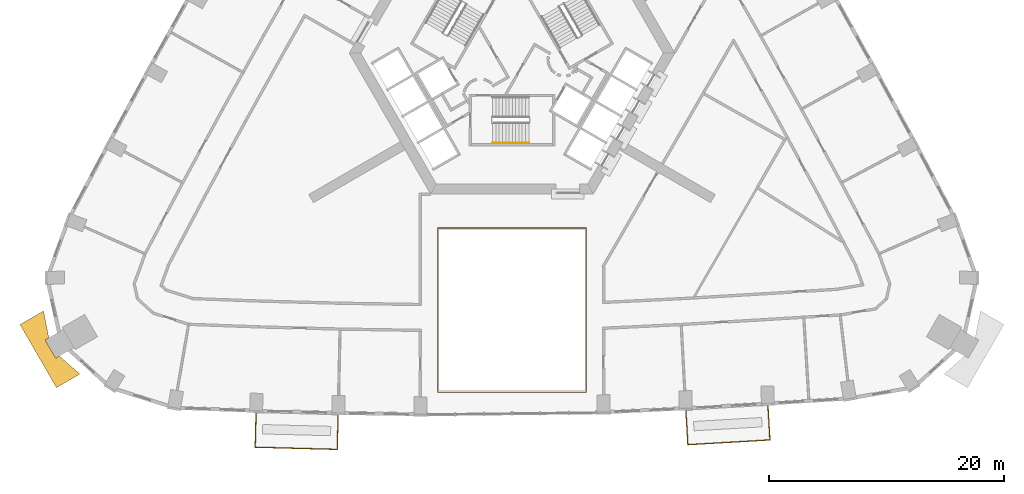
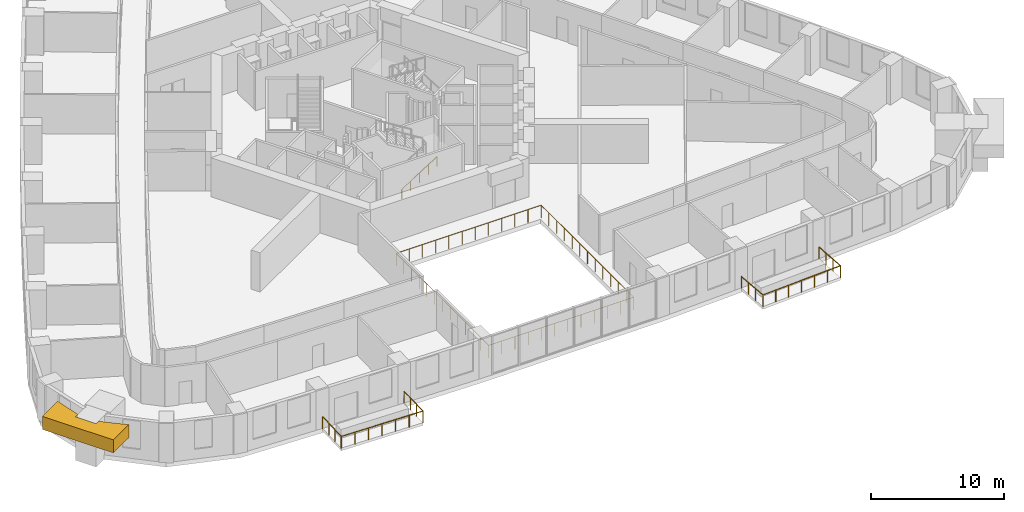
# One storey, part 13 of 15: 4 railings, 1 covering.
"""IFC4 building model written with IfcOpenShell, lengths in metres."""

import ifcopenshell
import ifcopenshell.guid

model = None  # the IFC model being written
_history = None  # IfcOwnerHistory: only IFC2X3 demands one
_inside = {}  # id of a spatial element -> (the spatial element, [elements in it])
_under = {}  # id of a project, library or spatial element -> (it, [spatial elements below it])
_declared = {}  # id of a project -> (the project, [libraries it declares])
_typed = {}  # id of a type object -> (the type object, [elements of that type])
_made_of = {}  # id of a material, layer set ... -> (it, [elements and type objects made of it])


def new_model(schema):
    """Start an empty IFC model of exactly this schema.

    Asked for "IFC4X3", IfcOpenShell would pick the latest addendum, in which some entities
    have other attributes; the version numbers below select the first issue.
    IFC2X3 requires an IfcOwnerHistory on every rooted entity: one is made here for all.
    """
    global model, _history
    if schema == "IFC4X3":
        model = ifcopenshell.file(schema_version=(4, 3, 0, 0))
    else:
        model = ifcopenshell.file(schema=schema)
    _inside.clear()
    _under.clear()
    _declared.clear()
    _typed.clear()
    _made_of.clear()
    _history = None
    if model.schema == "IFC2X3":
        org = make("IfcOrganization", Name="unknown")
        user = make(
            "IfcPersonAndOrganization",
            ThePerson=make("IfcPerson", FamilyName="unknown"),
            TheOrganization=org,
        )
        app = make(
            "IfcApplication",
            ApplicationDeveloper=org,
            Version="unknown",
            ApplicationFullName="unknown",
            ApplicationIdentifier="unknown",
        )
        _history = make(
            "IfcOwnerHistory",
            OwningUser=user,
            OwningApplication=app,
            ChangeAction="ADDED",
            CreationDate=0,
        )
    return model


def make(cls, **values):
    """One entity of the class cls with the attributes given. An attribute that is None is left unset."""
    return model.create_entity(
        cls, **{name: value for name, value in values.items() if value is not None}
    )


def rooted(cls, **values):
    """An entity with a GlobalId (a new one), such as an element, a storey or a relation."""
    return make(cls, GlobalId=ifcopenshell.guid.new(), OwnerHistory=_history, **values)


def si_unit(unit_type, name, prefix=None):
    """IfcSIUnit, for example si_unit("LENGTHUNIT", "METRE", prefix="MILLI")."""
    return make("IfcSIUnit", UnitType=unit_type, Prefix=prefix, Name=name)


def assignment(units):
    """IfcUnitAssignment: the units of a project."""
    return None if units is None else make("IfcUnitAssignment", Units=units)


def point(xyz):
    """IfcCartesianPoint."""
    return None if xyz is None else make("IfcCartesianPoint", Coordinates=xyz)


def direction(xyz):
    """IfcDirection."""
    return None if xyz is None else make("IfcDirection", DirectionRatios=xyz)


def frame(location, z_axis=None, x_axis=None):
    """IfcAxis2Placement3D, a coordinate frame: its origin and axes. An axis left out is left unset."""
    return make(
        "IfcAxis2Placement3D",
        Location=point(location),
        Axis=direction(z_axis),
        RefDirection=direction(x_axis),
    )


def frame_2d(location, x_axis=None):
    """IfcAxis2Placement2D, a coordinate frame in the plane: its origin and x axis."""
    return make(
        "IfcAxis2Placement2D", Location=point(location), RefDirection=direction(x_axis)
    )


def origin():
    """The frame at (0, 0, 0) with its axes left unset."""
    return frame((0.0, 0.0, 0.0))


def origin_2d():
    """The frame at (0, 0) in the plane with its x axis left unset."""
    return frame_2d((0.0, 0.0))


def place(relative_to, where):
    """IfcLocalPlacement: puts the frame where relative to a parent placement (None: the world)."""
    return make(
        "IfcLocalPlacement", PlacementRelTo=relative_to, RelativePlacement=where
    )


def context(
    kind, dimensions, precision=None, world=None, true_north=None, identifier=None
):
    """IfcGeometricRepresentationContext, for example the 3D "Model" context."""
    return make(
        "IfcGeometricRepresentationContext",
        ContextIdentifier=identifier,
        ContextType=kind,
        CoordinateSpaceDimension=dimensions,
        Precision=precision,
        WorldCoordinateSystem=world,
        TrueNorth=true_north,
    )


def subcontext(parent, identifier, kind, view, scale=None):
    """IfcGeometricRepresentationSubContext, for example "Body" below "Model"."""
    return make(
        "IfcGeometricRepresentationSubContext",
        ContextIdentifier=identifier,
        ContextType=kind,
        ParentContext=parent,
        TargetScale=scale,
        TargetView=view,
    )


def project(units=None, contexts=None):
    """IfcProject with its units and contexts."""
    return rooted(
        "IfcProject",
        Name="project",
        RepresentationContexts=contexts,
        UnitsInContext=assignment(units),
    )


def spatial(cls, under=None, at=None, **own):
    """A site, building, storey or space (cls), placed at a placement, below another one or the project."""
    s = rooted(cls, ObjectPlacement=at, **own)
    if under is not None:
        _under.setdefault(under.id(), (under, []))[1].append(s)
    return s


def polyline(points):
    """IfcPolyline through the points."""
    return make("IfcPolyline", Points=[point(p) for p in points])


def profile(cls, at=None, kind="AREA", **sizes):
    """A parametric profile (cls). Its sizes go by their IFC names, for example OverallWidth=200.0."""
    return make(cls, ProfileType=kind, Position=at, **sizes)


def circle(**sizes):
    """IfcCircleProfileDef."""
    return profile("IfcCircleProfileDef", **sizes)


def outline(outer, holes=None, kind="AREA"):
    """IfcArbitraryClosedProfileDef: a profile drawn as a closed curve; with holes, ...WithVoids."""
    if holes is None:
        return make("IfcArbitraryClosedProfileDef", ProfileType=kind, OuterCurve=outer)
    return make(
        "IfcArbitraryProfileDefWithVoids",
        ProfileType=kind,
        OuterCurve=outer,
        InnerCurves=holes,
    )


def extrude(swept, where, along, depth):
    """IfcExtrudedAreaSolid: the profile swept, set in the frame where, extruded along a direction by depth."""
    return make(
        "IfcExtrudedAreaSolid",
        SweptArea=swept,
        Position=where,
        ExtrudedDirection=direction(along),
        Depth=depth,
    )


def shape(context_of_items, identifier, shape_type, items):
    """IfcShapeRepresentation: the items that make up one representation, for example the "Body"."""
    return make(
        "IfcShapeRepresentation",
        ContextOfItems=context_of_items,
        RepresentationIdentifier=identifier,
        RepresentationType=shape_type,
        Items=items,
    )


def material(Name=None, Category=None):
    """IfcMaterial."""
    return make("IfcMaterial", Name=Name, Category=Category)


def made_of(thing, what):
    """Note that an element or type object is made of a material, layer set ...; save() writes the relation."""
    if what is not None:
        _made_of.setdefault(what.id(), (what, []))[1].append(thing)
    return thing


def type_object(cls, material=None, **own):
    """A type object (cls), such as IfcWallType, which elements share."""
    return made_of(rooted(cls, **own), material)


def element(
    cls,
    number,
    at=None,
    inside=None,
    cuts=None,
    type_object=None,
    material=None,
    context=None,
    identifier="Body",
    shape_type=None,
    held_by="IfcProductDefinitionShape",
    body=None,
    shapes=None,
    **own,
):
    """One element of the class cls, such as IfcWall. Its Tag is "e" and its number.

    at: its placement. inside: the storey or other place that contains it. cuts: it is an
    opening in that element (IfcRelVoidsElement). A single representation is given by context,
    identifier, shape_type and body (its items); several are given by shapes. held_by: the class
    of the entity that holds the representations. save() writes the other relations.
    """
    e = rooted(cls, Tag="e%d" % number, ObjectPlacement=at, **own)
    if body is not None:
        shapes = [shape(context, identifier, shape_type, body)]
    if shapes is not None:
        e.Representation = make(held_by, Representations=shapes)
    if inside is not None:
        _inside.setdefault(inside.id(), (inside, []))[1].append(e)
    if cuts is not None:
        rooted(
            "IfcRelVoidsElement", RelatingBuildingElement=cuts, RelatedOpeningElement=e
        )
    if type_object is not None:
        _typed.setdefault(type_object.id(), (type_object, []))[1].append(e)
    return made_of(e, material)


def aggregate(whole, parts):
    """IfcRelAggregates: a whole, such as a stair, and the parts it consists of."""
    return rooted("IfcRelAggregates", RelatingObject=whole, RelatedObjects=parts)


def save(model, path):
    """Write the relations noted so far, then the file.

    IfcRelAggregates (storeys below a building ...), IfcRelContainedInSpatialStructure (elements
    in a storey), IfcRelDefinesByType, IfcRelAssociatesMaterial and IfcRelDeclares: one each for
    every whole, place, type object, material and project.
    """
    for whole, parts in _under.values():
        aggregate(whole, parts)
    for where, things in _inside.values():
        rooted(
            "IfcRelContainedInSpatialStructure",
            RelatedElements=things,
            RelatingStructure=where,
        )
    for kind, things in _typed.values():
        rooted("IfcRelDefinesByType", RelatedObjects=things, RelatingType=kind)
    for what, things in _made_of.values():
        rooted("IfcRelAssociatesMaterial", RelatedObjects=things, RelatingMaterial=what)
    for by, libraries in _declared.values():
        rooted("IfcRelDeclares", RelatingContext=by, RelatedDefinitions=libraries)
    model.write(path)


model = new_model("IFC4")

# Units and contexts
model_context = context("Model", 3, precision=1e-05, world=origin(), true_north=direction((0.0, 1.0)))
body_context = subcontext(model_context, "Body", "Model", "MODEL_VIEW")
ifc_project = project(units=[si_unit("LENGTHUNIT", "METRE"), si_unit("AREAUNIT", "SQUARE_METRE"), si_unit("VOLUMEUNIT", "CUBIC_METRE"), si_unit("PLANEANGLEUNIT", "RADIAN"), si_unit("MASSUNIT", "GRAM", prefix="KILO")], contexts=[model_context])

# Site, building, storey
site_placement = place(None, origin())
site = spatial("IfcSite", under=ifc_project, at=site_placement, CompositionType="ELEMENT")
building_placement = place(site_placement, origin())
building = spatial("IfcBuilding", under=site, at=building_placement, Name="Entoto Arch Interchange Tower", CompositionType="ELEMENT")
storey_placement = place(building_placement, frame((0.0, 0.0, 128.60009765625)))
storey = spatial("IfcBuildingStorey", under=building, at=storey_placement, Name="L28", CompositionType="ELEMENT", Elevation=128.60009765625)

# Railings
ifc_material_1 = material(Name="Stainless steel 1.4301", Category="steel")
railing_type_1 = type_object("IfcRailingType", Name="ATRIUM GUARD 1200 STEEL AND GLASS", PredefinedType="GUARDRAIL", material=ifc_material_1)
railing_1_placement = place(storey_placement, frame((6.320068359375, -26.344970703125, 0.0)))
element("IfcRailing", 1, at=railing_1_placement, inside=storey, type_object=railing_type_1, Name="Atrium guard L28", PredefinedType="GUARDRAIL", context=body_context, shape_type="SweptSolid", body=[
    extrude(circle(Radius=0.02392578125, at=origin_2d()), frame((0.0, 0.0, 1.17578125), z_axis=(-1.0, 0.0, 0.0), x_axis=(0.0, -1.0, 0.0)), (0.0, 0.0, 1.0), 12.64013671875),
    extrude(circle(Radius=0.02392578125, at=origin_2d()), frame((-12.64013671875, 0.0, 1.17578125), z_axis=(0.0, 1.0, 0.0), x_axis=(-1.0, 0.0, 0.0)), (0.0, 0.0, 1.0), 13.965087890625),
    extrude(circle(Radius=0.02392578125, at=origin_2d()), frame((-12.64013671875, 13.965087890625, 1.17578125), z_axis=(1.0, 0.0, 0.0), x_axis=(0.0, 1.0, 0.0)), (0.0, 0.0, 1.0), 12.64013671875),
    extrude(circle(Radius=0.02392578125, at=origin_2d()), frame((0.0, 13.965087890625, 1.17578125), z_axis=(0.0, -1.0, 0.0), x_axis=(1.0, 0.0, 0.0)), (0.0, 0.0, 1.0), 13.965087890625),
    extrude(circle(Radius=0.02099609375, at=origin_2d()), origin(), (0.0, 0.0, 1.0), 1.15185546875),
    extrude(circle(Radius=0.02099609375, at=origin_2d()), frame((-1.149169921875, 0.0, 0.0)), (0.0, 0.0, 1.0), 1.15185546875),
    extrude(circle(Radius=0.02099609375, at=origin_2d()), frame((-2.298095703125, 0.0, 0.0)), (0.0, 0.0, 1.0), 1.15185546875),
    extrude(circle(Radius=0.02099609375, at=origin_2d()), frame((-3.447265625, 0.0, 0.0)), (0.0, 0.0, 1.0), 1.15185546875),
    extrude(circle(Radius=0.02099609375, at=origin_2d()), frame((-4.596435546875, 0.0, 0.0)), (0.0, 0.0, 1.0), 1.15185546875),
    extrude(circle(Radius=0.02099609375, at=origin_2d()), frame((-5.74560546875, 0.0, 0.0)), (0.0, 0.0, 1.0), 1.15185546875),
    extrude(circle(Radius=0.02099609375, at=origin_2d()), frame((-6.89453125, 0.0, 0.0)), (0.0, 0.0, 1.0), 1.15185546875),
    extrude(circle(Radius=0.02099609375, at=origin_2d()), frame((-8.043701171875, 0.0, 0.0)), (0.0, 0.0, 1.0), 1.15185546875),
    extrude(circle(Radius=0.02099609375, at=origin_2d()), frame((-9.19287109375, 0.0, 0.0)), (0.0, 0.0, 1.0), 1.15185546875),
    extrude(circle(Radius=0.02099609375, at=origin_2d()), frame((-10.342041015625, 0.0, 0.0)), (0.0, 0.0, 1.0), 1.15185546875),
    extrude(circle(Radius=0.02099609375, at=origin_2d()), frame((-11.490966796875, 0.0, 0.0)), (0.0, 0.0, 1.0), 1.15185546875),
    extrude(circle(Radius=0.02099609375, at=origin_2d()), frame((-12.64013671875, 0.0, 0.0)), (0.0, 0.0, 1.0), 1.15185546875),
    extrude(circle(Radius=0.02099609375, at=origin_2d()), frame((-12.64013671875, 1.163818359375, 0.0)), (0.0, 0.0, 1.0), 1.15185546875),
    extrude(circle(Radius=0.02099609375, at=origin_2d()), frame((-12.64013671875, 2.32763671875, 0.0)), (0.0, 0.0, 1.0), 1.15185546875),
    extrude(circle(Radius=0.02099609375, at=origin_2d()), frame((-12.64013671875, 3.4912109375, 0.0)), (0.0, 0.0, 1.0), 1.15185546875),
    extrude(circle(Radius=0.02099609375, at=origin_2d()), frame((-12.64013671875, 4.655029296875, 0.0)), (0.0, 0.0, 1.0), 1.15185546875),
    extrude(circle(Radius=0.02099609375, at=origin_2d()), frame((-12.64013671875, 5.81884765625, 0.0)), (0.0, 0.0, 1.0), 1.15185546875),
    extrude(circle(Radius=0.02099609375, at=origin_2d()), frame((-12.64013671875, 6.982421875, 0.0)), (0.0, 0.0, 1.0), 1.15185546875),
    extrude(circle(Radius=0.02099609375, at=origin_2d()), frame((-12.64013671875, 8.146240234375, 0.0)), (0.0, 0.0, 1.0), 1.15185546875),
    extrude(circle(Radius=0.02099609375, at=origin_2d()), frame((-12.64013671875, 9.31005859375, 0.0)), (0.0, 0.0, 1.0), 1.15185546875),
    extrude(circle(Radius=0.02099609375, at=origin_2d()), frame((-12.64013671875, 10.473876953125, 0.0)), (0.0, 0.0, 1.0), 1.15185546875),
    extrude(circle(Radius=0.02099609375, at=origin_2d()), frame((-12.64013671875, 11.6376953125, 0.0)), (0.0, 0.0, 1.0), 1.15185546875),
    extrude(circle(Radius=0.02099609375, at=origin_2d()), frame((-12.64013671875, 12.80126953125, 0.0)), (0.0, 0.0, 1.0), 1.15185546875),
    extrude(circle(Radius=0.02099609375, at=origin_2d()), frame((-12.64013671875, 13.965087890625, 0.0)), (0.0, 0.0, 1.0), 1.15185546875),
    extrude(circle(Radius=0.02099609375, at=origin_2d()), frame((-11.490966796875, 13.965087890625, 0.0)), (0.0, 0.0, 1.0), 1.15185546875),
    extrude(circle(Radius=0.02099609375, at=origin_2d()), frame((-10.342041015625, 13.965087890625, 0.0)), (0.0, 0.0, 1.0), 1.15185546875),
    extrude(circle(Radius=0.02099609375, at=origin_2d()), frame((-9.19287109375, 13.965087890625, 0.0)), (0.0, 0.0, 1.0), 1.15185546875),
    extrude(circle(Radius=0.02099609375, at=origin_2d()), frame((-8.043701171875, 13.965087890625, 0.0)), (0.0, 0.0, 1.0), 1.15185546875),
    extrude(circle(Radius=0.02099609375, at=origin_2d()), frame((-6.89453125, 13.965087890625, 0.0)), (0.0, 0.0, 1.0), 1.15185546875),
    extrude(circle(Radius=0.02099609375, at=origin_2d()), frame((-5.74560546875, 13.965087890625, 0.0)), (0.0, 0.0, 1.0), 1.15185546875),
    extrude(circle(Radius=0.02099609375, at=origin_2d()), frame((-4.596435546875, 13.965087890625, 0.0)), (0.0, 0.0, 1.0), 1.15185546875),
    extrude(circle(Radius=0.02099609375, at=origin_2d()), frame((-3.447265625, 13.965087890625, 0.0)), (0.0, 0.0, 1.0), 1.15185546875),
    extrude(circle(Radius=0.02099609375, at=origin_2d()), frame((-2.298095703125, 13.965087890625, 0.0)), (0.0, 0.0, 1.0), 1.15185546875),
    extrude(circle(Radius=0.02099609375, at=origin_2d()), frame((-1.149169921875, 13.965087890625, 0.0)), (0.0, 0.0, 1.0), 1.15185546875),
    extrude(circle(Radius=0.02099609375, at=origin_2d()), frame((0.0, 13.965087890625, 0.0)), (0.0, 0.0, 1.0), 1.15185546875),
    extrude(circle(Radius=0.02099609375, at=origin_2d()), frame((0.0, 12.80126953125, 0.0)), (0.0, 0.0, 1.0), 1.15185546875),
    extrude(circle(Radius=0.02099609375, at=origin_2d()), frame((0.0, 11.6376953125, 0.0)), (0.0, 0.0, 1.0), 1.15185546875),
    extrude(circle(Radius=0.02099609375, at=origin_2d()), frame((0.0, 10.473876953125, 0.0)), (0.0, 0.0, 1.0), 1.15185546875),
    extrude(circle(Radius=0.02099609375, at=origin_2d()), frame((0.0, 9.31005859375, 0.0)), (0.0, 0.0, 1.0), 1.15185546875),
    extrude(circle(Radius=0.02099609375, at=origin_2d()), frame((0.0, 8.146240234375, 0.0)), (0.0, 0.0, 1.0), 1.15185546875),
    extrude(circle(Radius=0.02099609375, at=origin_2d()), frame((0.0, 6.982421875, 0.0)), (0.0, 0.0, 1.0), 1.15185546875),
    extrude(circle(Radius=0.02099609375, at=origin_2d()), frame((0.0, 5.81884765625, 0.0)), (0.0, 0.0, 1.0), 1.15185546875),
    extrude(circle(Radius=0.02099609375, at=origin_2d()), frame((0.0, 4.655029296875, 0.0)), (0.0, 0.0, 1.0), 1.15185546875),
    extrude(circle(Radius=0.02099609375, at=origin_2d()), frame((0.0, 3.4912109375, 0.0)), (0.0, 0.0, 1.0), 1.15185546875),
    extrude(circle(Radius=0.02099609375, at=origin_2d()), frame((0.0, 2.32763671875, 0.0)), (0.0, 0.0, 1.0), 1.15185546875),
    extrude(circle(Radius=0.02099609375, at=origin_2d()), frame((0.0, 1.163818359375, 0.0)), (0.0, 0.0, 1.0), 1.15185546875),
])
railing_type_2 = type_object("IfcRailingType", Name="GUARD 1100 STEEL AND GLASS", PredefinedType="GUARDRAIL", material=ifc_material_1)
railing_2_placement = place(storey_placement, frame((-21.7890625, -28.094970703125, 0.0)))
element("IfcRailing", 2, at=railing_2_placement, inside=storey, type_object=railing_type_2, Name="Balcony guard S-02 L28", PredefinedType="GUARDRAIL", context=body_context, shape_type="SweptSolid", body=[
    extrude(circle(Radius=0.02392578125, at=origin_2d()), frame((0.0, 0.0, 1.076171875), z_axis=(-0.02673106876, -0.999642661136, 0.0), x_axis=(0.999642661136, -0.02673106876, 0.0)), (0.0, 0.0, 1.0), 2.949951171875),
    extrude(circle(Radius=0.02392578125, at=origin_2d()), frame((-0.078857421875, -2.948974609375, 1.076171875), z_axis=(0.999642697186, -0.026729720601, 0.0), x_axis=(0.026729720601, 0.999642697186, 0.0)), (0.0, 0.0, 1.0), 6.996337890625),
    extrude(circle(Radius=0.02392578125, at=origin_2d()), frame((6.9150390625, -3.135986328125, 1.076171875), z_axis=(0.026813768076, 0.999640446281, 0.0), x_axis=(-0.999640446281, 0.026813768076, 0.0)), (0.0, 0.0, 1.0), 2.949951171875),
    extrude(circle(Radius=0.02099609375, at=origin_2d()), origin(), (0.0, 0.0, 1.0), 1.052001953125),
    extrude(circle(Radius=0.02099609375, at=origin_2d()), frame((-0.0263671875, -0.98291015625, 0.0)), (0.0, 0.0, 1.0), 1.052001953125),
    extrude(circle(Radius=0.02099609375, at=origin_2d()), frame((-0.052490234375, -1.966064453125, 0.0)), (0.0, 0.0, 1.0), 1.052001953125),
    extrude(circle(Radius=0.02099609375, at=origin_2d()), frame((-0.078857421875, -2.948974609375, 0.0)), (0.0, 0.0, 1.0), 1.052001953125),
    extrude(circle(Radius=0.02099609375, at=origin_2d()), frame((1.0869140625, -2.980224609375, 0.0)), (0.0, 0.0, 1.0), 1.052001953125),
    extrude(circle(Radius=0.02099609375, at=origin_2d()), frame((2.25244140625, -3.01123046875, 0.0)), (0.0, 0.0, 1.0), 1.052001953125),
    extrude(circle(Radius=0.02099609375, at=origin_2d()), frame((3.41796875, -3.04248046875, 0.0)), (0.0, 0.0, 1.0), 1.052001953125),
    extrude(circle(Radius=0.02099609375, at=origin_2d()), frame((4.583740234375, -3.07373046875, 0.0)), (0.0, 0.0, 1.0), 1.052001953125),
    extrude(circle(Radius=0.02099609375, at=origin_2d()), frame((5.74951171875, -3.104736328125, 0.0)), (0.0, 0.0, 1.0), 1.052001953125),
    extrude(circle(Radius=0.02099609375, at=origin_2d()), frame((6.9150390625, -3.135986328125, 0.0)), (0.0, 0.0, 1.0), 1.052001953125),
    extrude(circle(Radius=0.02099609375, at=origin_2d()), frame((6.94140625, -2.153076171875, 0.0)), (0.0, 0.0, 1.0), 1.052001953125),
    extrude(circle(Radius=0.02099609375, at=origin_2d()), frame((6.9677734375, -1.169921875, 0.0)), (0.0, 0.0, 1.0), 1.052001953125),
    extrude(circle(Radius=0.02099609375, at=origin_2d()), frame((6.994140625, -0.18701171875, 0.0)), (0.0, 0.0, 1.0), 1.052001953125),
])
railing_3_placement = place(storey_placement, frame((14.794921875, -27.886962890625, 0.0)))
element("IfcRailing", 3, at=railing_3_placement, inside=storey, type_object=railing_type_2, Name="Balcony guard S-06 L28", PredefinedType="GUARDRAIL", context=body_context, shape_type="SweptSolid", body=[
    extrude(circle(Radius=0.02392578125, at=origin_2d()), frame((0.0, 0.0, 1.076171875), z_axis=(0.058343618913, -0.998296560213, 0.0), x_axis=(0.998296560213, 0.058343618913, 0.0)), (0.0, 0.0, 1.0), 2.9501953125),
    extrude(circle(Radius=0.02392578125, at=origin_2d()), frame((0.172119140625, -2.945068359375, 1.076171875), z_axis=(0.998294979898, 0.05837065282, 0.0), x_axis=(-0.05837065282, 0.998294979898, 0.0)), (0.0, 0.0, 1.0), 7.005859375),
    extrude(circle(Radius=0.02392578125, at=origin_2d()), frame((7.166015625, -2.5361328125, 1.076171875), z_axis=(-0.058261143113, 0.998301376941, 0.0), x_axis=(-0.998301376941, -0.058261143113, 0.0)), (0.0, 0.0, 1.0), 2.9501953125),
    extrude(circle(Radius=0.02099609375, at=origin_2d()), origin(), (0.0, 0.0, 1.0), 1.052001953125),
    extrude(circle(Radius=0.02099609375, at=origin_2d()), frame((0.057373046875, -0.981689453125, 0.0)), (0.0, 0.0, 1.0), 1.052001953125),
    extrude(circle(Radius=0.02099609375, at=origin_2d()), frame((0.11474609375, -1.96337890625, 0.0)), (0.0, 0.0, 1.0), 1.052001953125),
    extrude(circle(Radius=0.02099609375, at=origin_2d()), frame((0.172119140625, -2.945068359375, 0.0)), (0.0, 0.0, 1.0), 1.052001953125),
    extrude(circle(Radius=0.02099609375, at=origin_2d()), frame((1.337890625, -2.876953125, 0.0)), (0.0, 0.0, 1.0), 1.052001953125),
    extrude(circle(Radius=0.02099609375, at=origin_2d()), frame((2.50341796875, -2.808837890625, 0.0)), (0.0, 0.0, 1.0), 1.052001953125),
    extrude(circle(Radius=0.02099609375, at=origin_2d()), frame((3.6689453125, -2.74072265625, 0.0)), (0.0, 0.0, 1.0), 1.052001953125),
    extrude(circle(Radius=0.02099609375, at=origin_2d()), frame((4.834716796875, -2.67236328125, 0.0)), (0.0, 0.0, 1.0), 1.052001953125),
    extrude(circle(Radius=0.02099609375, at=origin_2d()), frame((6.00048828125, -2.604248046875, 0.0)), (0.0, 0.0, 1.0), 1.052001953125),
    extrude(circle(Radius=0.02099609375, at=origin_2d()), frame((7.166015625, -2.5361328125, 0.0)), (0.0, 0.0, 1.0), 1.052001953125),
    extrude(circle(Radius=0.02099609375, at=origin_2d()), frame((7.108642578125, -1.554443359375, 0.0)), (0.0, 0.0, 1.0), 1.052001953125),
    extrude(circle(Radius=0.02099609375, at=origin_2d()), frame((7.051513671875, -0.57275390625, 0.0)), (0.0, 0.0, 1.0), 1.052001953125),
    extrude(circle(Radius=0.02099609375, at=origin_2d()), frame((6.994140625, 0.408935546875, 0.0)), (0.0, 0.0, 1.0), 1.052001953125),
])

# Covering
ifc_material_2 = material(Name="Board-marked precast concrete C50/60", Category="concrete")
covering_type = type_object("IfcCoveringType", Name="PRECAST FRAME COURSE", PredefinedType="CLADDING", material=ifc_material_2)
covering_placement = place(storey_placement, frame((0.0, 0.0, 2.39990234375)))
element("IfcCovering", 4, at=covering_placement, inside=storey, type_object=covering_type, Name="Corner pilaster head SW L27-L28", PredefinedType="CLADDING", context=body_context, shape_type="SweptSolid", body=[
    extrude(outline(polyline([(-38.781982421875, -25.970947265625), (-41.882080078125, -20.60107421875), (-39.87890625, -19.445068359375), (-39.427001953125, -21.72509765625), (-39.741943359375, -21.906982421875), (-38.842041015625, -23.465087890625), (-38.527099609375, -23.282958984375), (-36.779052734375, -24.81396484375), (-38.781982421875, -25.970947265625)])), origin(), (0.0, 0.0, 1.0), 1.199951171875),
])

# Railing
railing_type_3 = type_object("IfcRailingType", Name="STAIR HANDRAIL 900 STEEL", PredefinedType="HANDRAIL", material=ifc_material_1)
railing_4_placement = place(storey_placement, frame((-1.64990234375, -5.14990234375, 0.1748046875)))
element("IfcRailing", 5, at=railing_4_placement, inside=storey, type_object=railing_type_3, Name="L28 ST-S stair handrail 1", PredefinedType="HANDRAIL", context=body_context, shape_type="SweptSolid", body=[
    extrude(circle(Radius=0.02392578125, at=origin_2d()), frame((0.0, 0.0, 0.8759765625), z_axis=(0.847979421464, 0.0, 0.530029150871), x_axis=(0.0, 1.0, 0.0)), (0.0, 0.0, 1.0), 3.632080078125),
    extrude(circle(Radius=0.02099609375, at=origin_2d()), origin(), (0.0, 0.0, 1.0), 0.851806640625),
    extrude(circle(Radius=0.02099609375, at=origin_2d()), frame((0.77001953125, 0.0, 0.481201171875)), (0.0, 0.0, 1.0), 0.851806640625),
    extrude(circle(Radius=0.02099609375, at=origin_2d()), frame((1.5400390625, 0.0, 0.96240234375)), (0.0, 0.0, 1.0), 0.851806640625),
    extrude(circle(Radius=0.02099609375, at=origin_2d()), frame((2.309814453125, 0.0, 1.44384765625)), (0.0, 0.0, 1.0), 0.851806640625),
    extrude(circle(Radius=0.02099609375, at=origin_2d()), frame((3.079833984375, 0.0, 1.925048828125)), (0.0, 0.0, 1.0), 0.851806640625),
])

save(model, "model.ifc")
